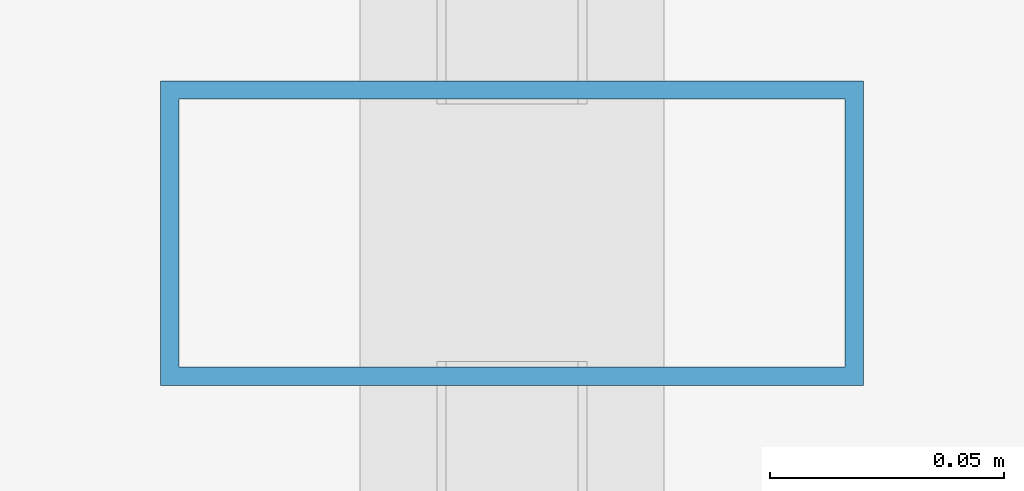
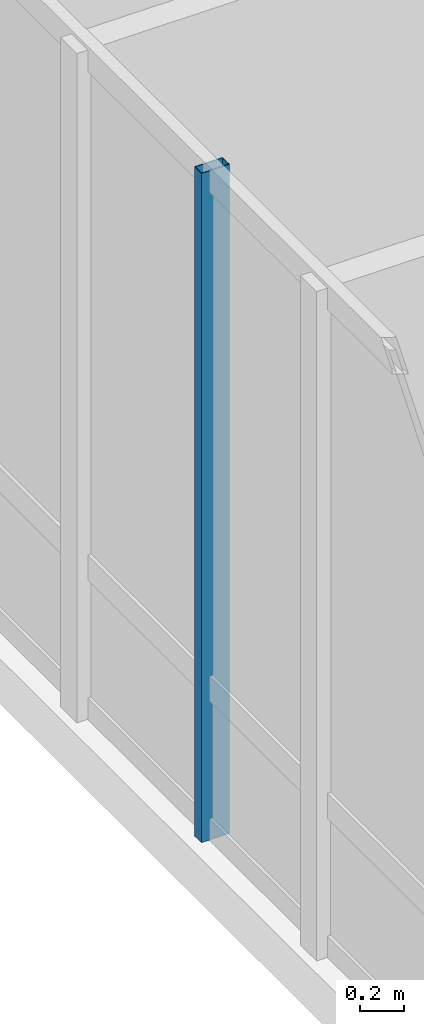
# One storey, part 13 of 30: 1 member, 1 element without a shape of its own.
"""IFC4 building model written with IfcOpenShell, lengths in metres."""

from ifc_helpers import new_model, si_unit, direction, frame, origin, origin_2d, place, context, subcontext, project, spatial, hollow_rectangle, extrude, material, layer, layer_set, material_profile, profile_set, type_object, element, aggregate, save


model = new_model("IFC4")

# Units and contexts
model_context = context("Model", 3, precision=1e-05, world=origin(), true_north=direction((0.0, 1.0)))
body_context = subcontext(model_context, "Body", "Model", "MODEL_VIEW")
ifc_project = project(units=[si_unit("LENGTHUNIT", "METRE"), si_unit("AREAUNIT", "SQUARE_METRE"), si_unit("VOLUMEUNIT", "CUBIC_METRE"), si_unit("PLANEANGLEUNIT", "RADIAN"), si_unit("MASSUNIT", "GRAM", prefix="KILO")], contexts=[model_context])

# Site, building, storey
site_placement = place(None, origin())
site = spatial("IfcSite", under=ifc_project, at=site_placement, CompositionType="ELEMENT")
building_placement = place(site_placement, origin())
building = spatial("IfcBuilding", under=site, at=building_placement, Name="Hatsunagi Terrace Concourse", CompositionType="ELEMENT")
storey_placement = place(building_placement, frame((0.0, 0.0, 273.949951171875)))
storey = spatial("IfcBuildingStorey", under=building, at=storey_placement, Name="L72", CompositionType="ELEMENT", Elevation=273.949951171875)

# Curtain wall, member
ifc_material_1 = material(Name="Anodised Aluminium Alloy 6063-T5", Category="aluminium")
ifc_layer = layer(ifc_material_1, 0.199951171875)
ifc_layer_set = layer_set([ifc_layer], Name="CrownWintergarden_CW06")
curtain_wall_type = type_object("IfcCurtainWallType", Name="CrownWintergarden_CW06", PredefinedType="NOTDEFINED", material=ifc_layer_set)
curtain_wall_placement = place(storey_placement, origin())
curtain_wall = element("IfcCurtainWall", 1, at=curtain_wall_placement, inside=storey, type_object=curtain_wall_type, Name="Unitised Curtain Wall CW-06 CW-L72-07", PredefinedType="NOTDEFINED")
ifc_material_2 = material(Name="Anodised Aluminium Alloy 6063-T5", Category="aluminium")
ifc_material_profile = material_profile(ifc_material_2, hollow_rectangle(XDim=0.06494140625, YDim=0.14990234375, WallThickness=0.00390625, at=origin_2d()), Name="ALU-MUL-150x65x4")
ifc_profile_set = profile_set([ifc_material_profile], Name="Anodised Aluminium Alloy 6063-T5")
member_type = type_object("IfcMemberType", Name="CurtainWallMullion_Crown_150x65", PredefinedType="MULLION", material=ifc_profile_set)
member_placement = place(storey_placement, frame((20.5400390625, 36.740966796875, 0.0), z_axis=(0.0, 0.0, 1.0), x_axis=(0.0, 1.0, 0.0)))
member = element("IfcMember", 2, at=member_placement, type_object=member_type, Name="Curtain Wall Mullion MUL-03", PredefinedType="MULLION", context=body_context, shape_type="SweptSolid", body=[
    extrude(hollow_rectangle(XDim=0.06494140625, YDim=0.14990234375, WallThickness=0.00390625, at=origin_2d()), origin(), (0.0, 0.0, 1.0), 3.75),
])
aggregate(curtain_wall, [member])

save(model, "model.ifc")
